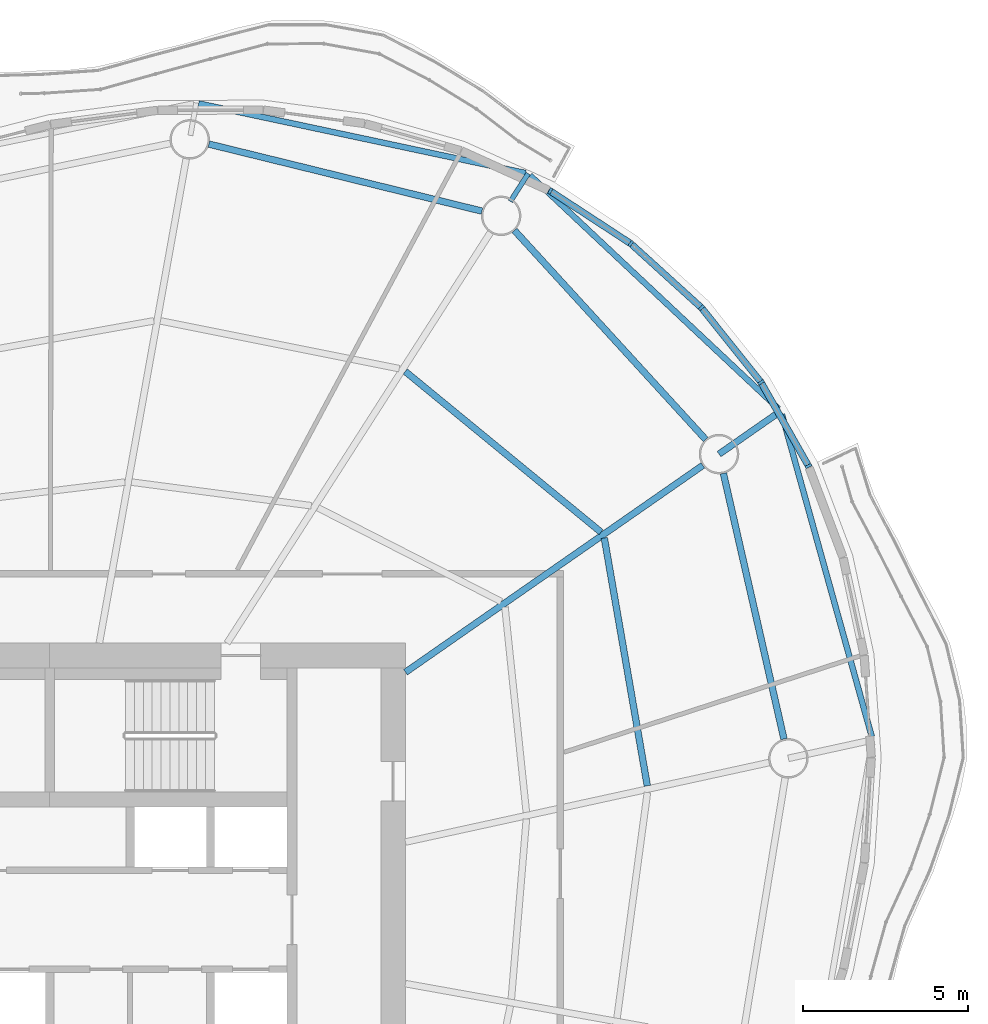
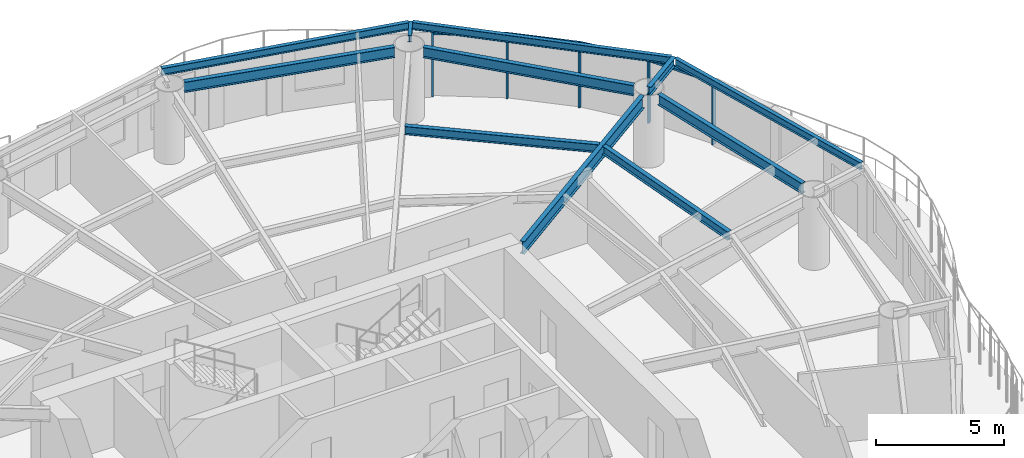
# One storey, part 6 of 14: 11 beams, 9 members, 4 elements without a shape of their own.
"""IFC4 building model written with IfcOpenShell, lengths in metres."""

from ifc_helpers import new_model, si_unit, direction, frame, origin, origin_2d, place, context, subcontext, project, spatial, rectangle, i_section, extrude, material, material_profile, profile_set, type_object, element, aggregate, save


model = new_model("IFC4")

# Units and contexts
model_context = context("Model", 3, precision=1e-05, world=origin(), true_north=direction((0.0, 1.0)))
body_context = subcontext(model_context, "Body", "Model", "MODEL_VIEW")
ifc_project = project(units=[si_unit("LENGTHUNIT", "METRE"), si_unit("AREAUNIT", "SQUARE_METRE"), si_unit("VOLUMEUNIT", "CUBIC_METRE"), si_unit("PLANEANGLEUNIT", "RADIAN"), si_unit("MASSUNIT", "GRAM", prefix="KILO")], contexts=[model_context])

# Site, building, storey
site_placement = place(None, origin())
site = spatial("IfcSite", under=ifc_project, at=site_placement, CompositionType="ELEMENT")
building_placement = place(site_placement, origin())
building = spatial("IfcBuilding", under=site, at=building_placement, Name="Vermilion Reach Broadcast Tower", CompositionType="ELEMENT")
storey_placement = place(building_placement, frame((0.0, 0.0, 206.5)))
storey = spatial("IfcBuildingStorey", under=building, at=storey_placement, Name="L50", CompositionType="ELEMENT", Elevation=206.5)

# Beams
ifc_material_1 = material(Name="Steel S355J2", Category="steel")
ifc_material_profile_1 = material_profile(ifc_material_1, i_section(OverallWidth=0.175048828125, OverallDepth=0.35009765625, WebThickness=0.007080078125, FlangeThickness=0.010986328125, at=origin_2d()), Name="S355J2 HN 350x175x7x11")
ifc_profile_set_1 = profile_set([ifc_material_profile_1], Name="Steel S355J2")
beam_type_1 = type_object("IfcBeamType", Name="EB4 HN 350x175x7x11", PredefinedType="BEAM", material=ifc_profile_set_1)
beam_1_placement = place(storey_placement, frame((8.446533203125, 22.667724609375, 3.27490234375), z_axis=(-0.978079350634, 0.208232523547, 0.0), x_axis=(-0.208232523547, -0.978079350634, 0.0)))
element("IfcBeam", 1, at=beam_1_placement, inside=storey, type_object=beam_type_1, Name="Edge beam EB4-01", PredefinedType="BEAM", context=body_context, shape_type="SweptSolid", body=[
    extrude(i_section(OverallWidth=0.175048828125, OverallDepth=0.35009765625, WebThickness=0.007080078125, FlangeThickness=0.010986328125, at=origin_2d()), origin(), (0.0, 0.0, 1.0), 10.1474609375),
])
beam_2_placement = place(storey_placement, frame((18.956298828125, 5.557373046875, 3.27490234375), z_axis=(-0.268660015455, 0.963235067933, 0.0), x_axis=(-0.963235067933, -0.268660015455, 0.0)))
element("IfcBeam", 2, at=beam_2_placement, inside=storey, type_object=beam_type_1, Name="Edge beam EB4-15", PredefinedType="BEAM", context=body_context, shape_type="SweptSolid", body=[
    extrude(i_section(OverallWidth=0.175048828125, OverallDepth=0.35009765625, WebThickness=0.007080078125, FlangeThickness=0.010986328125, at=origin_2d()), origin(), (0.0, 0.0, 1.0), 10.15966796875),
])
beam_3_placement = place(storey_placement, frame((16.123779296875, 15.515380859375, 3.27490234375), z_axis=(-0.728971149801, 0.684544419857, 0.0), x_axis=(-0.684544419857, -0.728971149801, 0.0)))
element("IfcBeam", 3, at=beam_3_placement, inside=storey, type_object=beam_type_1, Name="Edge beam EB4-16", PredefinedType="BEAM", context=body_context, shape_type="SweptSolid", body=[
    extrude(i_section(OverallWidth=0.175048828125, OverallDepth=0.35009765625, WebThickness=0.007080078125, FlangeThickness=0.010986328125, at=origin_2d()), origin(), (0.0, 0.0, 1.0), 10.34765625),
])
ifc_material_2 = material(Name="Steel S355J2", Category="steel")
ifc_material_profile_2 = material_profile(ifc_material_2, i_section(OverallWidth=0.199951171875, OverallDepth=0.60009765625, WebThickness=0.010986328125, FlangeThickness=0.01708984375, at=origin_2d()), Name="S355J2 HN 600x200x11x17")
ifc_profile_set_2 = profile_set([ifc_material_profile_2], Name="Steel S355J2")
beam_type_2 = type_object("IfcBeamType", Name="G4 HN 600x200x11x17", PredefinedType="BEAM", material=ifc_profile_set_2)
beam_4_placement = place(storey_placement, frame((4.800048828125, 7.5146484375, 3.14990234375), z_axis=(0.820848627818, 0.571145804684, 0.0), x_axis=(-0.571145804684, 0.820848627818, 0.0)))
element("IfcBeam", 4, at=beam_4_placement, inside=storey, type_object=beam_type_2, Name="Girder G4-16", PredefinedType="BEAM", context=body_context, shape_type="SweptSolid", body=[
    extrude(i_section(OverallWidth=0.199951171875, OverallDepth=0.60009765625, WebThickness=0.010986328125, FlangeThickness=0.01708984375, at=origin_2d()), origin(), (0.0, 0.0, 1.0), 10.99560546875),
])
ifc_material_3 = material(Name="Steel S355J2", Category="steel")
ifc_material_profile_3 = material_profile(ifc_material_3, i_section(OverallWidth=0.199951171875, OverallDepth=0.39990234375, WebThickness=0.008056640625, FlangeThickness=0.012939453125, at=origin_2d()), Name="S355J2 HN 400x200x8x13")
ifc_profile_set_3 = profile_set([ifc_material_profile_3], Name="Steel S355J2")
beam_type_3 = type_object("IfcBeamType", Name="GC4 HN 400x200x8x13", PredefinedType="BEAM", material=ifc_profile_set_3)
beam_5_placement = place(storey_placement, frame((14.318115234375, 14.13720703125, 3.25), z_axis=(0.820816121496, 0.571192519815, 0.0), x_axis=(-0.571192519815, 0.820816121496, 0.0)))
element("IfcBeam", 5, at=beam_5_placement, inside=storey, type_object=beam_type_3, Name="Cantilever girder GC4-16", PredefinedType="BEAM", context=body_context, shape_type="SweptSolid", body=[
    extrude(i_section(OverallWidth=0.199951171875, OverallDepth=0.39990234375, WebThickness=0.008056640625, FlangeThickness=0.012939453125, at=origin_2d()), origin(), (0.0, 0.0, 1.0), 2.29052734375),
])
ifc_material_4 = material(Name="Steel S355J2", Category="steel")
ifc_material_profile_4 = material_profile(ifc_material_4, i_section(OverallWidth=0.14990234375, OverallDepth=0.300048828125, WebThickness=0.006591796875, FlangeThickness=0.009033203125, at=origin_2d()), Name="S355J2 HN 300x150x6.5x9")
ifc_profile_set_4 = profile_set([ifc_material_profile_4], Name="Steel S355J2")
beam_type_4 = type_object("IfcBeamType", Name="GS4 HN 300x150x6.5x9", PredefinedType="BEAM", material=ifc_profile_set_4)
beam_6_placement = place(storey_placement, frame((7.985107421875, 21.80908203125, 3.300048828125), z_axis=(0.539794777091, 0.841796649213, 0.0), x_axis=(-0.841796649213, 0.539794777091, 0.0)))
element("IfcBeam", 6, at=beam_6_placement, inside=storey, type_object=beam_type_4, Name="Cantilever stub GS4-01", PredefinedType="BEAM", context=body_context, shape_type="SweptSolid", body=[
    extrude(i_section(OverallWidth=0.14990234375, OverallDepth=0.300048828125, WebThickness=0.006591796875, FlangeThickness=0.009033203125, at=origin_2d()), origin(), (0.0, 0.0, 1.0), 1.0),
])
ifc_material_5 = material(Name="Steel S355J2", Category="steel")
ifc_material_profile_5 = material_profile(ifc_material_5, i_section(OverallWidth=0.199951171875, OverallDepth=0.5, WebThickness=0.010009765625, FlangeThickness=0.01611328125, at=origin_2d()), Name="S355J2 HN 500x200x10x16")
ifc_profile_set_5 = profile_set([ifc_material_profile_5], Name="Steel S355J2")
beam_type_5 = type_object("IfcBeamType", Name="RB4 HN 500x200x10x16", PredefinedType="BEAM", material=ifc_profile_set_5)
beam_7_placement = place(storey_placement, frame((7.120849609375, 21.51318359375, 3.199951171875), z_axis=(-0.971158622271, 0.238434331398, 0.0), x_axis=(-0.238434331398, -0.971158622271, 0.0)))
element("IfcBeam", 7, at=beam_7_placement, inside=storey, type_object=beam_type_5, Name="Ring beam RB4-01", PredefinedType="BEAM", context=body_context, shape_type="SweptSolid", body=[
    extrude(i_section(OverallWidth=0.199951171875, OverallDepth=0.5, WebThickness=0.010009765625, FlangeThickness=0.01611328125, at=origin_2d()), origin(), (0.0, 0.0, 1.0), 8.534423828125),
])
beam_8_placement = place(storey_placement, frame((16.290283203125, 5.486572265625, 3.199951171875), z_axis=(-0.222283068275, 0.974982172944, 0.0), x_axis=(-0.974982172944, -0.222283068275, 0.0)))
element("IfcBeam", 8, at=beam_8_placement, inside=storey, type_object=beam_type_5, Name="Ring beam RB4-15", PredefinedType="BEAM", context=body_context, shape_type="SweptSolid", body=[
    extrude(i_section(OverallWidth=0.199951171875, OverallDepth=0.5, WebThickness=0.010009765625, FlangeThickness=0.01611328125, at=origin_2d()), origin(), (0.0, 0.0, 1.0), 8.272705078125),
])
beam_9_placement = place(storey_placement, frame((13.9130859375, 14.580078125, 3.199951171875), z_axis=(-0.674868141417, 0.737938338684, 0.0), x_axis=(-0.737938338684, -0.674868141417, 0.0)))
element("IfcBeam", 9, at=beam_9_placement, inside=storey, type_object=beam_type_5, Name="Ring beam RB4-16", PredefinedType="BEAM", context=body_context, shape_type="SweptSolid", body=[
    extrude(i_section(OverallWidth=0.199951171875, OverallDepth=0.5, WebThickness=0.010009765625, FlangeThickness=0.01611328125, at=origin_2d()), origin(), (0.0, 0.0, 1.0), 8.601318359375),
])
ifc_material_6 = material(Name="Steel S355J2", Category="steel")
ifc_material_profile_6 = material_profile(ifc_material_6, i_section(OverallWidth=0.199951171875, OverallDepth=0.39990234375, WebThickness=0.008056640625, FlangeThickness=0.012939453125, at=origin_2d()), Name="S355J2 HN 400x200x8x13")
ifc_profile_set_6 = profile_set([ifc_material_profile_6], Name="Steel S355J2")
beam_type_6 = type_object("IfcBeamType", Name="SB4 HN 400x200x8x13", PredefinedType="BEAM", material=ifc_profile_set_6)
beam_10_placement = place(storey_placement, frame((12.141357421875, 4.067626953125, 3.25), z_axis=(-0.170926997669, 0.985283695931, 0.0), x_axis=(-0.985283695931, -0.170926997669, 0.0)))
element("IfcBeam", 10, at=beam_10_placement, inside=storey, type_object=beam_type_6, Name="Secondary beam SB4-15-2", PredefinedType="BEAM", context=body_context, shape_type="SweptSolid", body=[
    extrude(i_section(OverallWidth=0.199951171875, OverallDepth=0.39990234375, WebThickness=0.008056640625, FlangeThickness=0.012939453125, at=origin_2d()), origin(), (0.0, 0.0, 1.0), 7.63720703125),
])
beam_11_placement = place(storey_placement, frame((10.73681640625, 11.76708984375, 3.25), z_axis=(-0.772952000494, 0.6344645025, 0.0), x_axis=(-0.6344645025, -0.772952000494, 0.0)))
element("IfcBeam", 11, at=beam_11_placement, inside=storey, type_object=beam_type_6, Name="Secondary beam SB4-16-2", PredefinedType="BEAM", context=body_context, shape_type="SweptSolid", body=[
    extrude(i_section(OverallWidth=0.199951171875, OverallDepth=0.39990234375, WebThickness=0.008056640625, FlangeThickness=0.012939453125, at=origin_2d()), origin(), (0.0, 0.0, 1.0), 7.689697265625),
])

# Curtain wall, member
ifc_material_7 = material(Name="Low-e laminated clear glass in aluminium frame", Category="aluminium")
curtain_wall_type = type_object("IfcCurtainWallType", Name="Slot curtain wall", PredefinedType="NOTDEFINED", material=ifc_material_7)
placement = place(storey_placement, origin())
curtain_wall_1 = element("IfcCurtainWall", 12, at=placement, inside=storey, type_object=curtain_wall_type, Name="Slot curtain wall L50 46", PredefinedType="NOTDEFINED")
ifc_material_8 = material(Name="Anodised aluminium", Category="aluminium")
ifc_material_profile_7 = material_profile(ifc_material_8, rectangle(XDim=0.199951171875, YDim=0.080078125, at=origin_2d()), Name="Slot mullion 80 x 200")
ifc_profile_set_7 = profile_set([ifc_material_profile_7], Name="Anodised aluminium")
member_type_1 = type_object("IfcMemberType", Name="Slot mullion 80 x 200", PredefinedType="MULLION", material=ifc_profile_set_7)
member_1_placement = place(storey_placement, frame((17.034423828125, 13.77490234375, 0.0), z_axis=(0.0, 0.0, 1.0), x_axis=(-0.905372114289, -0.424619046521, 0.0)))
member_1 = element("IfcMember", 13, at=member_1_placement, type_object=member_type_1, Name="Slot mullion L50 46", PredefinedType="MULLION", context=body_context, shape_type="SweptSolid", body=[
    extrude(rectangle(XDim=0.199951171875, YDim=0.080078125, at=origin_2d()), origin(), (0.0, 0.0, 1.0), 3.050048828125),
])

curtain_wall_2 = element("IfcCurtainWall", 14, at=placement, inside=storey, type_object=curtain_wall_type, Name="Slot curtain wall L50 47", PredefinedType="NOTDEFINED")
member_2_placement = place(storey_placement, frame((15.59326171875, 16.31640625, 0.0), z_axis=(0.0, 0.0, 1.0), x_axis=(-0.828147275941, -0.56051056132, 0.0)))
member_2 = element("IfcMember", 15, at=member_2_placement, type_object=member_type_1, Name="Slot mullion L50 47", PredefinedType="MULLION", context=body_context, shape_type="SweptSolid", body=[
    extrude(rectangle(XDim=0.199951171875, YDim=0.080078125, at=origin_2d()), origin(), (0.0, 0.0, 1.0), 3.050048828125),
])

curtain_wall_3 = element("IfcCurtainWall", 16, at=placement, inside=storey, type_object=curtain_wall_type, Name="Slot curtain wall L50 00", PredefinedType="NOTDEFINED")
member_3_placement = place(storey_placement, frame((13.784912109375, 18.579345703125, 0.0), z_axis=(0.0, 0.0, 1.0), x_axis=(-0.728968725368, -0.684547001626, 0.0)))
member_3 = element("IfcMember", 17, at=member_3_placement, type_object=member_type_1, Name="Slot mullion L50 00", PredefinedType="MULLION", context=body_context, shape_type="SweptSolid", body=[
    extrude(rectangle(XDim=0.199951171875, YDim=0.080078125, at=origin_2d()), origin(), (0.0, 0.0, 1.0), 3.050048828125),
])

# Curtain wall, members
curtain_wall_4 = element("IfcCurtainWall", 18, at=placement, inside=storey, type_object=curtain_wall_type, Name="Slot curtain wall L50 01", PredefinedType="NOTDEFINED")
member_4_placement = place(storey_placement, frame((11.64013671875, 20.526123046875, 0.0), z_axis=(0.0, 0.0, 1.0), x_axis=(-0.611404273448, -0.791318402673, 0.0)))
member_4 = element("IfcMember", 19, at=member_4_placement, type_object=member_type_1, Name="Slot mullion L50 01", PredefinedType="MULLION", context=body_context, shape_type="SweptSolid", body=[
    extrude(rectangle(XDim=0.199951171875, YDim=0.080078125, at=origin_2d()), origin(), (0.0, 0.0, 1.0), 3.050048828125),
])
member_5_placement = place(storey_placement, frame((9.194091796875, 22.1240234375, 0.0), z_axis=(0.0, 0.0, 1.0), x_axis=(-0.480629836559, -0.876923577177, 0.0)))
member_5 = element("IfcMember", 20, at=member_5_placement, type_object=member_type_1, Name="Slot mullion L50 02", PredefinedType="MULLION", context=body_context, shape_type="SweptSolid", body=[
    extrude(rectangle(XDim=0.199951171875, YDim=0.080078125, at=origin_2d()), origin(), (0.0, 0.0, 1.0), 3.050048828125),
])

# Member
ifc_material_9 = material(Name="Anodised aluminium", Category="aluminium")
ifc_material_profile_8 = material_profile(ifc_material_9, rectangle(XDim=0.199951171875, YDim=0.10009765625, at=origin_2d()), Name="Slot transom 200 x 100")
ifc_profile_set_8 = profile_set([ifc_material_profile_8], Name="Anodised aluminium")
member_type_2 = type_object("IfcMemberType", Name="Slot transom 200 x 100", PredefinedType="USERDEFINED", material=ifc_profile_set_8)
member_6_placement = place(storey_placement, frame((17.0146484375, 13.8095703125, 3.0), z_axis=(-0.493240169434, 0.869893174624, 0.0), x_axis=(-0.869893174624, -0.493240169434, 0.0)))
member_6 = element("IfcMember", 21, at=member_6_placement, type_object=member_type_2, Name="Slot transom L50 46.1", ObjectType="TRANSOM", PredefinedType="USERDEFINED", context=body_context, shape_type="SweptSolid", body=[
    extrude(rectangle(XDim=0.199951171875, YDim=0.10009765625, at=origin_2d()), origin(), (0.0, 0.0, 1.0), 2.841552734375),
])

aggregate(curtain_wall_1, [member_1, member_6])

member_7_placement = place(storey_placement, frame((15.568359375, 16.34765625, 3.0), z_axis=(-0.624250988924, 0.781223849372, 0.0), x_axis=(-0.781223849372, -0.624250988924, 0.0)))
member_7 = element("IfcMember", 22, at=member_7_placement, type_object=member_type_2, Name="Slot transom L50 47.1", ObjectType="TRANSOM", PredefinedType="USERDEFINED", context=body_context, shape_type="SweptSolid", body=[
    extrude(rectangle(XDim=0.199951171875, YDim=0.10009765625, at=origin_2d()), origin(), (0.0, 0.0, 1.0), 2.816650390625),
])

aggregate(curtain_wall_2, [member_2, member_7])

member_8_placement = place(storey_placement, frame((13.75537109375, 18.606201171875, 3.0), z_axis=(-0.740473231661, 0.672085852546, 0.0), x_axis=(-0.672085852546, -0.740473231661, 0.0)))
member_8 = element("IfcMember", 23, at=member_8_placement, type_object=member_type_2, Name="Slot transom L50 00.1", ObjectType="TRANSOM", PredefinedType="USERDEFINED", context=body_context, shape_type="SweptSolid", body=[
    extrude(rectangle(XDim=0.199951171875, YDim=0.10009765625, at=origin_2d()), origin(), (0.0, 0.0, 1.0), 2.816650390625),
])

aggregate(curtain_wall_3, [member_3, member_8])

member_9_placement = place(storey_placement, frame((11.6064453125, 20.548095703125, 3.0), z_axis=(-0.837208686674, 0.546883547894, 0.0), x_axis=(-0.546883547894, -0.837208686674, 0.0)))
member_9 = element("IfcMember", 24, at=member_9_placement, type_object=member_type_2, Name="Slot transom L50 01.1", ObjectType="TRANSOM", PredefinedType="USERDEFINED", context=body_context, shape_type="SweptSolid", body=[
    extrude(rectangle(XDim=0.199951171875, YDim=0.10009765625, at=origin_2d()), origin(), (0.0, 0.0, 1.0), 2.841552734375),
])

aggregate(curtain_wall_4, [member_4, member_5, member_9])

save(model, "model.ifc")
